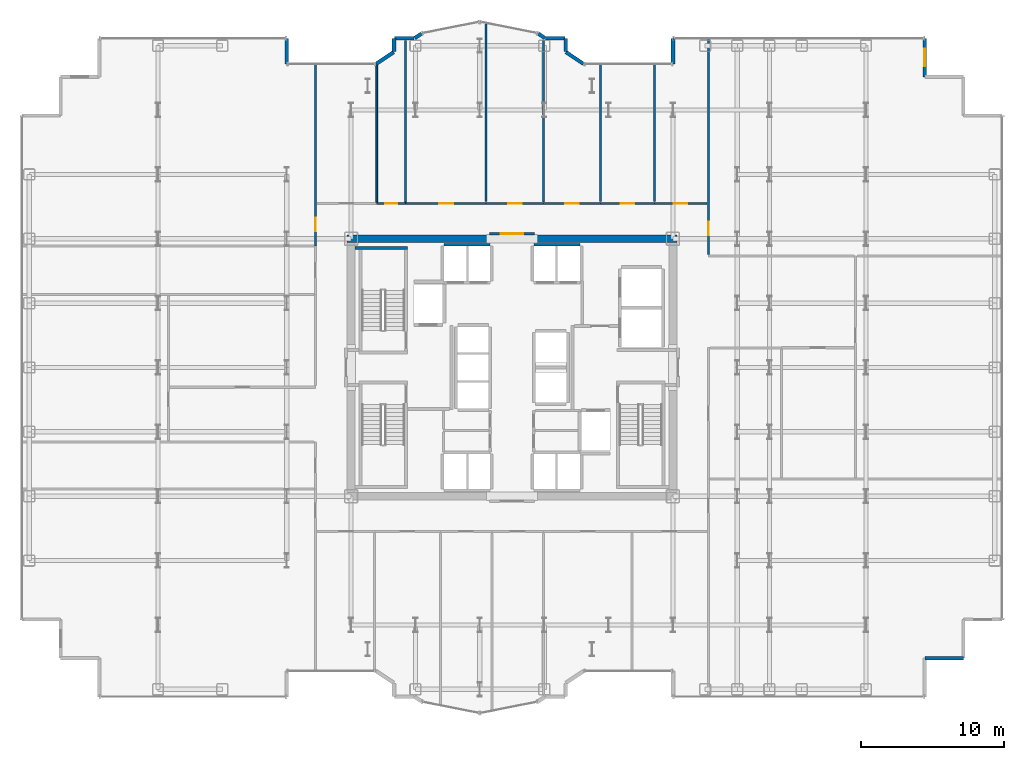
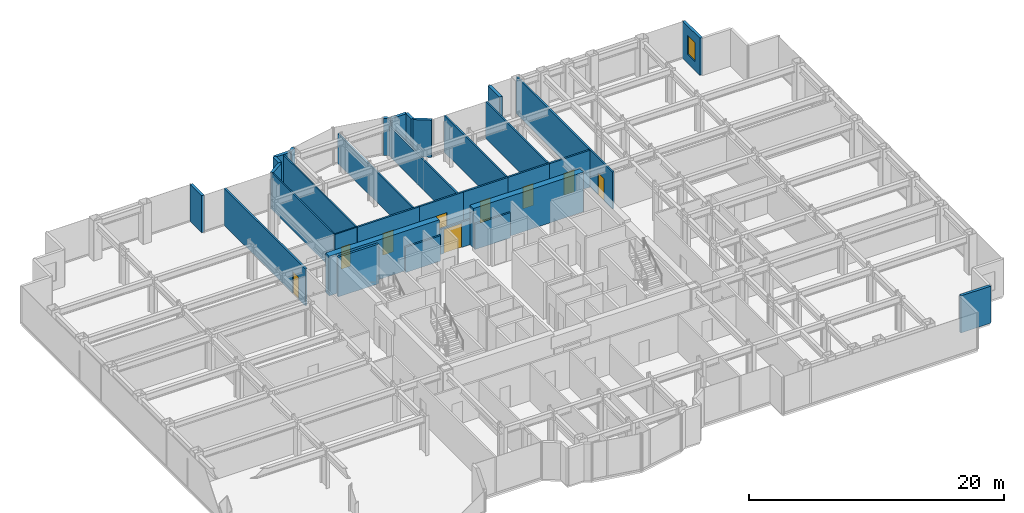
# One storey, part 24 of 26: 32 walls, 9 doors, 1 window, 10 openings.
"""IFC4 building model written with IfcOpenShell, lengths in metres."""

from ifc_helpers import new_model, si_unit, direction, frame, frame_2d, origin, place, context, subcontext, project, spatial, rectangle, extrude, source, transform, mapped, material, layer, layer_set, type_object, element, fill, save


model = new_model("IFC4")

# Units and contexts
model_context = context("Model", 3, precision=1e-05, world=origin(), true_north=direction((0.0, 1.0)))
body_context = subcontext(model_context, "Body", "Model", "MODEL_VIEW")
ifc_project = project(units=[si_unit("LENGTHUNIT", "METRE"), si_unit("AREAUNIT", "SQUARE_METRE"), si_unit("VOLUMEUNIT", "CUBIC_METRE"), si_unit("PLANEANGLEUNIT", "RADIAN"), si_unit("MASSUNIT", "GRAM", prefix="KILO")], contexts=[model_context])

# Site, building, storey
site_placement = place(None, origin())
site = spatial("IfcSite", under=ifc_project, at=site_placement, CompositionType="ELEMENT")
building_placement = place(site_placement, origin())
building = spatial("IfcBuilding", under=site, at=building_placement, Name="Nefas-Gora Pilgrimage Tower", CompositionType="ELEMENT")
storey_placement = place(building_placement, frame((0.0, 0.0, 121.199951171875)))
storey = spatial("IfcBuildingStorey", under=building, at=storey_placement, Name="L29", CompositionType="ELEMENT", Elevation=121.199951171875)

# Walls
ifc_material_1 = material(Name="Concrete C60/75", Category="concrete")
ifc_layer_1 = layer(ifc_material_1, 0.550048828125)
ifc_layer_set_1 = layer_set([ifc_layer_1], Name="Concrete C60/75")
wall_type_1 = type_object("IfcWallType", Name="SW-CORE-550", PredefinedType="SHEAR", material=ifc_layer_set_1)
shared_shape_1 = source(origin(), body_context, "Body", "SweptSolid", [
    extrude(rectangle(XDim=9.974853515625, YDim=0.550048828125, at=frame_2d((4.9873046875, 0.0))), origin(), (0.0, 0.0, 1.0), 3.800048828125),
])
for number, where, z_axis, x_axis, name in (
    (1, (-11.52490234375, 9.0, 0.0), (0.0, 0.0, 1.0), (1.0, 0.0, 0.0), "L29 Core Shear Wall N-West"),
    (2, (1.550048828125, 9.0, 0.0), (0.0, 0.0, 1.0), (1.0, 0.0, 0.0), "L29 Core Shear Wall N-East"),
):
    element("IfcWall", number, at=place(storey_placement, frame(where, z_axis=z_axis, x_axis=x_axis)), inside=storey, type_object=wall_type_1, Name=name, PredefinedType="SHEAR", context=body_context, shape_type="MappedRepresentation", body=[
        mapped(shared_shape_1, transform((0.0, 0.0, 0.0), x_axis=(1.0, 0.0, 0.0), y_axis=(0.0, 1.0, 0.0), z_axis=(0.0, 0.0, 1.0), scale=1.0)),
    ])
ifc_material_2 = material(Name="Precast concrete C40/50", Category="concrete")
ifc_layer_2 = layer(ifc_material_2, 0.260009765625)
ifc_layer_set_2 = layer_set([ifc_layer_2], Name="Precast concrete C40/50")
wall_type_2 = type_object("IfcWallType", Name="EW-PORTAL-260", PredefinedType="SOLIDWALL", material=ifc_layer_set_2)
shared_shape_2 = source(origin(), body_context, "Body", "SweptSolid", [
    extrude(rectangle(XDim=1.800048828125, YDim=0.260009765625, at=frame_2d((0.89990234375, 0.0))), origin(), (0.0, 0.0, 1.0), 3.550048828125),
])
for number, where, z_axis, x_axis, name in (
    (3, (11.25, 23.02001953125, 0.0), (0.0, 0.0, 1.0), (0.0, -1.0, 0.0), "L29 Lobe Shoulder Precast Spandrel Pier 10"),
    (4, (-15.75, 21.219970703125, 0.0), (0.0, 0.0, 1.0), (0.0, 1.0, 0.0), "L29 Lobe Shoulder Precast Spandrel Pier 19"),
):
    element("IfcWall", number, at=place(storey_placement, frame(where, z_axis=z_axis, x_axis=x_axis)), inside=storey, type_object=wall_type_2, Name=name, PredefinedType="SOLIDWALL", context=body_context, shape_type="MappedRepresentation", body=[
        mapped(shared_shape_2, transform((0.0, 0.0, 0.0), x_axis=(1.0, 0.0, 0.0), y_axis=(0.0, 1.0, 0.0), z_axis=(0.0, 0.0, 1.0), scale=1.0)),
    ])
ifc_material_3 = material(Name="Precast concrete C45/55", Category="concrete")
ifc_layer_3 = layer(ifc_material_3, 0.239990234375)
ifc_layer_set_3 = layer_set([ifc_layer_3], Name="Precast concrete C45/55")
wall_type_3 = type_object("IfcWallType", Name="EW-SERR-240", PredefinedType="SHEAR", material=ifc_layer_set_3)
shared_shape_3 = source(origin(), body_context, "Body", "SweptSolid", [
    extrude(rectangle(XDim=2.699951171875, YDim=0.239990234375, at=frame_2d((1.35009765625, 0.0))), origin(), (0.0, 0.0, 1.0), 3.550048828125),
])
wall_1_placement = place(storey_placement, frame((28.8701171875, -20.320068359375, 0.0), z_axis=(0.0, 0.0, 1.0), x_axis=(1.0, 0.0, 0.0)))
element("IfcWall", 5, at=wall_1_placement, inside=storey, type_object=wall_type_3, Name="L29 Serrated Corner Shear Pier Wall 3", PredefinedType="SHEAR", context=body_context, shape_type="MappedRepresentation", body=[
    mapped(shared_shape_3, transform((0.0, 0.0, 0.0), x_axis=(1.0, 0.0, 0.0), y_axis=(0.0, 1.0, 0.0), z_axis=(0.0, 0.0, 1.0), scale=1.0)),
])

# Wall, opening, window
wall_2_placement = place(storey_placement, frame((28.8701171875, 20.320068359375, 0.0), z_axis=(0.0, 0.0, 1.0), x_axis=(0.0, 1.0, 0.0)))
wall_2 = element("IfcWall", 6, at=wall_2_placement, inside=storey, type_object=wall_type_3, Name="L29 Serrated Corner Shear Pier Wall 9", PredefinedType="SHEAR", context=body_context, shape_type="MappedRepresentation", body=[
    mapped(shared_shape_3, transform((0.0, 0.0, 0.0), x_axis=(1.0, 0.0, 0.0), y_axis=(0.0, 1.0, 0.0), z_axis=(0.0, 0.0, 1.0), scale=1.0)),
])
opening_1_placement = place(wall_2_placement, frame((0.75, 0.0, 0.85009765625)))
opening_1 = element("IfcOpeningElement", 7, at=opening_1_placement, cuts=wall_2, Name="Opening W-V1", PredefinedType="OPENING", context=body_context, shape_type="SweptSolid", body=[
    extrude(rectangle(XDim=1.199951171875, YDim=1.800048828125, at=frame_2d((0.60009765625, 0.89990234375))), frame((0.0, 0.1298828125, 0.0), z_axis=(0.0, -1.0, 0.0), x_axis=(1.0, 0.0, 0.0)), (0.0, 0.0, 1.0), 0.260009765625),
])
ifc_material_4 = material(Name="Dark ceramic-fritted operable aluminium-glass window", Category="aluminium")
window_type = type_object("IfcWindowType", Name="WIN-VENT-1200x1800", PartitioningType="SINGLE_PANEL", PredefinedType="WINDOW", material=ifc_material_4)
shared_shape_4 = source(origin(), body_context, "Body", "SweptSolid", [
    extrude(rectangle(XDim=1.199951171875, YDim=1.800048828125, at=frame_2d((0.60009765625, 0.89990234375))), frame((0.0, 0.030029296875, 0.0), z_axis=(0.0, -1.0, 0.0), x_axis=(1.0, 0.0, 0.0)), (0.0, 0.0, 1.0), 0.06005859375),
])
window_placement = place(opening_1_placement, origin())
window = element("IfcWindow", 8, at=window_placement, inside=storey, type_object=window_type, Name="L29 Operable Parallel-Outswing Window 9", OverallHeight=1.800048828125, OverallWidth=1.199951171875, PartitioningType="SINGLE_PANEL", PredefinedType="WINDOW", context=body_context, shape_type="MappedRepresentation", body=[
    mapped(shared_shape_4, transform((0.0, 0.0, 0.0), x_axis=(1.0, 0.0, 0.0), y_axis=(0.0, 1.0, 0.0), z_axis=(0.0, 0.0, 1.0), scale=1.0)),
])
fill(opening_1, window)

# Walls
shared_shape_5 = source(origin(), body_context, "Body", "SweptSolid", [
    extrude(rectangle(XDim=1.468994140625, YDim=0.260009765625, at=frame_2d((0.734375, 0.0))), origin(), (0.0, 0.0, 1.0), 3.550048828125),
])
for number, where, z_axis, x_axis, name in (
    (9, (4.99462890625, 21.235595703125, 0.0), (0.0, 0.0, 1.0), (-0.831461760506, 0.555581983884, 0.0), "L29 Lobe Shoulder Precast Spandrel Pier 11"),
    (10, (-8.273193359375, 22.0517578125, 0.0), (0.0, 0.0, 1.0), (-0.831461760506, -0.555581983884, 0.0), "L29 Lobe Shoulder Precast Spandrel Pier 18"),
):
    element("IfcWall", number, at=place(storey_placement, frame(where, z_axis=z_axis, x_axis=x_axis)), inside=storey, type_object=wall_type_2, Name=name, PredefinedType="SOLIDWALL", context=body_context, shape_type="MappedRepresentation", body=[
        mapped(shared_shape_5, transform((0.0, 0.0, 0.0), x_axis=(1.0, 0.0, 0.0), y_axis=(0.0, 1.0, 0.0), z_axis=(0.0, 0.0, 1.0), scale=1.0)),
    ])
shared_shape_6 = source(origin(), body_context, "Body", "SweptSolid", [
    extrude(rectangle(XDim=0.896728515625, YDim=0.260009765625, at=frame_2d((0.4482421875, 0.0))), origin(), (0.0, 0.0, 1.0), 3.550048828125),
])
for number, where, z_axis, x_axis, name in (
    (11, (3.75, 22.09521484375, 0.0), (0.0, 0.0, 1.0), (0.0, 1.0, 0.0), "L29 Lobe Shoulder Precast Spandrel Pier 12"),
    (12, (-8.25, 22.991943359375, 0.0), (0.0, 0.0, 1.0), (0.0, -1.0, 0.0), "L29 Lobe Shoulder Precast Spandrel Pier 17"),
):
    element("IfcWall", number, at=place(storey_placement, frame(where, z_axis=z_axis, x_axis=x_axis)), inside=storey, type_object=wall_type_2, Name=name, PredefinedType="SOLIDWALL", context=body_context, shape_type="MappedRepresentation", body=[
        mapped(shared_shape_6, transform((0.0, 0.0, 0.0), x_axis=(1.0, 0.0, 0.0), y_axis=(0.0, 1.0, 0.0), z_axis=(0.0, 0.0, 1.0), scale=1.0)),
    ])
shared_shape_7 = source(origin(), body_context, "Body", "SweptSolid", [
    extrude(rectangle(XDim=1.369873046875, YDim=0.260009765625, at=frame_2d((0.68505859375, 0.0))), origin(), (0.0, 0.0, 1.0), 3.550048828125),
])
for number, where, z_axis, x_axis, name in (
    (13, (3.721923828125, 23.02001953125, 0.0), (0.0, 0.0, 1.0), (-1.0, 0.0, 0.0), "L29 Lobe Shoulder Precast Spandrel Pier 13"),
    (14, (-6.85205078125, 23.02001953125, 0.0), (0.0, 0.0, 1.0), (-1.0, 0.0, 0.0), "L29 Lobe Shoulder Precast Spandrel Pier 16"),
):
    element("IfcWall", number, at=place(storey_placement, frame(where, z_axis=z_axis, x_axis=x_axis)), inside=storey, type_object=wall_type_2, Name=name, PredefinedType="SOLIDWALL", context=body_context, shape_type="MappedRepresentation", body=[
        mapped(shared_shape_7, transform((0.0, 0.0, 0.0), x_axis=(1.0, 0.0, 0.0), y_axis=(0.0, 1.0, 0.0), z_axis=(0.0, 0.0, 1.0), scale=1.0)),
    ])
shared_shape_8 = source(origin(), body_context, "Body", "SweptSolid", [
    extrude(rectangle(XDim=0.5654296875, YDim=0.260009765625, at=frame_2d((0.28271484375, 0.0))), origin(), (0.0, 0.0, 1.0), 3.550048828125),
])
for number, where, z_axis, x_axis, name in (
    (15, (2.30078125, 23.03564453125, 0.0), (0.0, 0.0, 1.0), (-0.831651492666, 0.555297933317, 0.0), "L29 Lobe Shoulder Precast Spandrel Pier 14"),
    (16, (-6.33056640625, 23.349609375, 0.0), (0.0, 0.0, 1.0), (-0.831651492666, -0.555297933317, 0.0), "L29 Lobe Shoulder Precast Spandrel Pier 15"),
):
    element("IfcWall", number, at=place(storey_placement, frame(where, z_axis=z_axis, x_axis=x_axis)), inside=storey, type_object=wall_type_2, Name=name, PredefinedType="SOLIDWALL", context=body_context, shape_type="MappedRepresentation", body=[
        mapped(shared_shape_8, transform((0.0, 0.0, 0.0), x_axis=(1.0, 0.0, 0.0), y_axis=(0.0, 1.0, 0.0), z_axis=(0.0, 0.0, 1.0), scale=1.0)),
    ])
ifc_material_5 = material(Name="Concrete C45/55", Category="concrete")
ifc_layer_4 = layer(ifc_material_5, 0.199951171875)
ifc_layer_set_4 = layer_set([ifc_layer_4], Name="Concrete C45/55")
wall_type_4 = type_object("IfcWallType", Name="IW-STAIR-200", PredefinedType="SOLIDWALL", material=ifc_layer_set_4)
shared_shape_9 = source(origin(), body_context, "Body", "SweptSolid", [
    extrude(rectangle(XDim=3.679931640625, YDim=0.199951171875, at=frame_2d((1.83984375, 0.0))), origin(), (0.0, 0.0, 1.0), 3.800048828125),
])
wall_3_placement = place(storey_placement, frame((-7.300048828125, 8.35009765625, 0.0), z_axis=(0.0, 0.0, 1.0), x_axis=(-1.0, 0.0, 0.0)))
element("IfcWall", 17, at=wall_3_placement, inside=storey, type_object=wall_type_4, Name="L29 Stairwell Shear Wall ST-01-far", PredefinedType="SOLIDWALL", context=body_context, shape_type="MappedRepresentation", body=[
    mapped(shared_shape_9, transform((0.0, 0.0, 0.0), x_axis=(1.0, 0.0, 0.0), y_axis=(0.0, 1.0, 0.0), z_axis=(0.0, 0.0, 1.0), scale=1.0)),
])
ifc_material_6 = material(Name="Gypsum acoustic stud partition")
ifc_layer_5 = layer(ifc_material_6, 0.159912109375)
ifc_layer_set_5 = layer_set([ifc_layer_5], Name="Gypsum acoustic stud partition")
wall_type_5 = type_object("IfcWallType", Name="IW-CORR-160", PredefinedType="PARTITIONING", material=ifc_layer_set_5)
shared_shape_10 = source(origin(), body_context, "Body", "SweptSolid", [
    extrude(rectangle(XDim=3.199951171875, YDim=0.159912109375, at=frame_2d((1.60009765625, 0.0))), origin(), (0.0, 0.0, 1.0), 2.425048828125),
])
for number, where, z_axis, x_axis, name in (
    (18, (-1.550048828125, 8.580078125, 0.0), (0.0, 0.0, 1.0), (-1.0, 0.0, 0.0), "L29 Hoistway Wall PL1-W-N"),
    (19, (4.75, 8.580078125, 0.0), (0.0, 0.0, 1.0), (-1.0, 0.0, 0.0), "L29 Hoistway Wall PL1-E-N"),
):
    element("IfcWall", number, at=place(storey_placement, frame(where, z_axis=z_axis, x_axis=x_axis)), inside=storey, type_object=wall_type_5, Name=name, PredefinedType="PARTITIONING", context=body_context, shape_type="MappedRepresentation", body=[
        mapped(shared_shape_10, transform((0.0, 0.0, 0.0), x_axis=(1.0, 0.0, 0.0), y_axis=(0.0, 1.0, 0.0), z_axis=(0.0, 0.0, 1.0), scale=1.0)),
    ])

# Wall, opening, door
ifc_material_7 = material(Name="Moisture-resistant fire-rated gypsum partition")
ifc_layer_6 = layer(ifc_material_7, 0.1201171875)
ifc_layer_set_6 = layer_set([ifc_layer_6], Name="Moisture-resistant fire-rated gypsum partition")
wall_type_6 = type_object("IfcWallType", Name="IW-WET-120", PredefinedType="PLUMBINGWALL", material=ifc_layer_set_6)
shared_shape_11 = source(origin(), body_context, "Body", "SweptSolid", [
    extrude(rectangle(XDim=2.02001953125, YDim=0.1201171875, at=frame_2d((1.010009765625, 0.0))), origin(), (0.0, 0.0, 1.0), 3.53515625),
])
wall_4_placement = place(storey_placement, frame((-9.4599609375, 11.469970703125, 0.0), z_axis=(0.0, 0.0, 1.0), x_axis=(1.0, 0.0, 0.0)))
wall_4 = element("IfcWall", 20, at=wall_4_placement, inside=storey, type_object=wall_type_6, Name="L29 Accessible Unisex WC Partition Wall 25", PredefinedType="PLUMBINGWALL", context=body_context, shape_type="MappedRepresentation", body=[
    mapped(shared_shape_11, transform((0.0, 0.0, 0.0), x_axis=(1.0, 0.0, 0.0), y_axis=(0.0, 1.0, 0.0), z_axis=(0.0, 0.0, 1.0), scale=1.0)),
])
opening_2_placement = place(wall_4_placement, frame((0.5849609375, 0.0, 0.0)))
opening_2 = element("IfcOpeningElement", 21, at=opening_2_placement, cuts=wall_4, Name="Opening ID-BT1", PredefinedType="OPENING", context=body_context, shape_type="SweptSolid", body=[
    extrude(rectangle(XDim=0.85009765625, YDim=2.10009765625, at=frame_2d((0.425048828125, 1.050048828125))), frame((0.0, 0.070068359375, 0.0), z_axis=(0.0, -1.0, 0.0), x_axis=(1.0, 0.0, 0.0)), (0.0, 0.0, 1.0), 0.14013671875),
])
ifc_material_8 = material(Name="Moisture-resistant fire-rated timber door", Category="wood")
door_type_1 = type_object("IfcDoorType", Name="DR-INT-BATH-850", OperationType="NOTDEFINED", PredefinedType="DOOR", material=ifc_material_8)
shared_shape_12 = source(origin(), body_context, "Body", "SweptSolid", [
    extrude(rectangle(XDim=0.85009765625, YDim=2.10009765625, at=frame_2d((0.425048828125, 1.050048828125))), frame((0.0, 0.02490234375, 0.0), z_axis=(0.0, -1.0, 0.0), x_axis=(1.0, 0.0, 0.0)), (0.0, 0.0, 1.0), 0.050048828125),
])
door_1_placement = place(opening_2_placement, origin())
door_1 = element("IfcDoor", 22, at=door_1_placement, inside=storey, type_object=door_type_1, Name="L29 Accessible Unisex WC Door 10", OperationType="SINGLE_SWING_RIGHT", OverallHeight=2.10009765625, OverallWidth=0.85009765625, PredefinedType="DOOR", context=body_context, shape_type="MappedRepresentation", body=[
    mapped(shared_shape_12, transform((0.0, 0.0, 0.0), x_axis=(1.0, 0.0, 0.0), y_axis=(0.0, 1.0, 0.0), z_axis=(0.0, 0.0, 1.0), scale=1.0)),
])
fill(opening_2, door_1)

# Walls
shared_shape_13 = source(origin(), body_context, "Body", "SweptSolid", [
    extrude(rectangle(XDim=11.280029296875, YDim=0.1201171875, at=frame_2d((5.64013671875, 0.0))), origin(), (0.0, 0.0, 1.0), 3.53515625),
])
wall_5_placement = place(storey_placement, frame((-7.449951171875, 11.570068359375, 0.0), z_axis=(0.0, 0.0, 1.0), x_axis=(0.0, 1.0, 0.0)))
element("IfcWall", 23, at=wall_5_placement, inside=storey, type_object=wall_type_6, Name="L29 Accessible Unisex WC Partition Wall 26", PredefinedType="PLUMBINGWALL", context=body_context, shape_type="MappedRepresentation", body=[
    mapped(shared_shape_13, transform((0.0, 0.0, 0.0), x_axis=(1.0, 0.0, 0.0), y_axis=(0.0, 1.0, 0.0), z_axis=(0.0, 0.0, 1.0), scale=1.0)),
])
shared_shape_14 = source(origin(), body_context, "Body", "SweptSolid", [
    extrude(rectangle(XDim=9.586669921875, YDim=0.1201171875, at=frame_2d((4.79345703125, 0.0))), origin(), (0.0, 0.0, 1.0), 3.53515625),
])
wall_6_placement = place(storey_placement, frame((-9.449951171875, 11.570068359375, 0.0), z_axis=(0.0, 0.0, 1.0), x_axis=(0.0, 1.0, 0.0)))
element("IfcWall", 24, at=wall_6_placement, inside=storey, type_object=wall_type_6, Name="L29 Accessible Unisex WC Partition Wall 27", PredefinedType="PLUMBINGWALL", context=body_context, shape_type="MappedRepresentation", body=[
    mapped(shared_shape_14, transform((0.0, 0.0, 0.0), x_axis=(1.0, 0.0, 0.0), y_axis=(0.0, 1.0, 0.0), z_axis=(0.0, 0.0, 1.0), scale=1.0)),
])

# Wall, opening, door
shared_shape_15 = source(origin(), body_context, "Body", "SweptSolid", [
    extrude(rectangle(XDim=12.744873046875, YDim=0.159912109375, at=frame_2d((6.37255859375, 0.0))), origin(), (0.0, 0.0, 1.0), 3.53515625),
])
wall_7_placement = place(storey_placement, frame((-13.739990234375, 8.4951171875, 0.0), z_axis=(0.0, 0.0, 1.0), x_axis=(0.0, 1.0, 0.0)))
wall_7 = element("IfcWall", 25, at=wall_7_placement, inside=storey, type_object=wall_type_5, Name="L29 Pilgrim Fellowship Seminar Room Partition Wall 38", PredefinedType="PARTITIONING", context=body_context, shape_type="MappedRepresentation", body=[
    mapped(shared_shape_15, transform((0.0, 0.0, 0.0), x_axis=(1.0, 0.0, 0.0), y_axis=(0.0, 1.0, 0.0), z_axis=(0.0, 0.0, 1.0), scale=1.0)),
])
opening_3_placement = place(wall_7_placement, frame((1.032470703125, 0.0, 0.0)))
opening_3 = element("IfcOpeningElement", 26, at=opening_3_placement, cuts=wall_7, Name="Opening ID-GR1", PredefinedType="OPENING", context=body_context, shape_type="SweptSolid", body=[
    extrude(rectangle(XDim=0.949951171875, YDim=2.10009765625, at=frame_2d((0.47509765625, 1.050048828125))), frame((0.0, 0.08984375, 0.0), z_axis=(0.0, -1.0, 0.0), x_axis=(1.0, 0.0, 0.0)), (0.0, 0.0, 1.0), 0.179931640625),
])
ifc_material_9 = material(Name="Solid core oak fire-rated guest entrance door")
door_type_2 = type_object("IfcDoorType", Name="DR-INT-GUEST-950", OperationType="NOTDEFINED", PredefinedType="DOOR", material=ifc_material_9)
shared_shape_16 = source(origin(), body_context, "Body", "SweptSolid", [
    extrude(rectangle(XDim=0.949951171875, YDim=2.10009765625, at=frame_2d((0.47509765625, 1.050048828125))), frame((0.0, 0.02490234375, 0.0), z_axis=(0.0, -1.0, 0.0), x_axis=(1.0, 0.0, 0.0)), (0.0, 0.0, 1.0), 0.050048828125),
])
door_2_placement = place(opening_3_placement, origin())
door_2 = element("IfcDoor", 27, at=door_2_placement, inside=storey, type_object=door_type_2, Name="L29 Pilgrim Fellowship Seminar Room Door 16", OperationType="SINGLE_SWING_RIGHT", OverallHeight=2.10009765625, OverallWidth=0.949951171875, PredefinedType="DOOR", context=body_context, shape_type="MappedRepresentation", body=[
    mapped(shared_shape_16, transform((0.0, 0.0, 0.0), x_axis=(1.0, 0.0, 0.0), y_axis=(0.0, 1.0, 0.0), z_axis=(0.0, 0.0, 1.0), scale=1.0)),
])
fill(opening_3, door_2)

# Walls
ifc_material_10 = material(Name="Gypsum twin-stud partition")
ifc_layer_7 = layer(ifc_material_10, 0.139892578125)
ifc_layer_set_7 = layer_set([ifc_layer_7], Name="Gypsum twin-stud partition")
wall_type_7 = type_object("IfcWallType", Name="IW-UNIT-140", PredefinedType="PARTITIONING", material=ifc_layer_set_7)
shared_shape_17 = source(origin(), body_context, "Body", "SweptSolid", [
    extrude(rectangle(XDim=9.64990234375, YDim=0.139892578125, at=frame_2d((4.824951171875, 0.0))), origin(), (0.0, 0.0, 1.0), 3.53515625),
])
for number, where, z_axis, x_axis, name in (
    (28, (6.195068359375, 11.590087890625, 0.0), (0.0, 0.0, 1.0), (0.0, 1.0, 0.0), "L29 Pilgrim Contemplative Lounge Partition Wall 55"),
    (29, (9.949951171875, 11.590087890625, 0.0), (0.0, 0.0, 1.0), (0.0, 1.0, 0.0), "L29 Pilgrim Contemplative Lounge Partition Wall 57"),
):
    element("IfcWall", number, at=place(storey_placement, frame(where, z_axis=z_axis, x_axis=x_axis)), inside=storey, type_object=wall_type_7, Name=name, PredefinedType="PARTITIONING", context=body_context, shape_type="MappedRepresentation", body=[
        mapped(shared_shape_17, transform((0.0, 0.0, 0.0), x_axis=(1.0, 0.0, 0.0), y_axis=(0.0, 1.0, 0.0), z_axis=(0.0, 0.0, 1.0), scale=1.0)),
    ])

# Wall, opening, door
shared_shape_18 = source(origin(), body_context, "Body", "SweptSolid", [
    extrude(rectangle(XDim=3.16015625, YDim=0.159912109375, at=frame_2d((1.580078125, 0.0))), origin(), (0.0, 0.0, 1.0), 2.425048828125),
])
wall_8_placement = place(storey_placement, frame((-1.580078125, 9.35009765625, 0.0), z_axis=(0.0, 0.0, 1.0), x_axis=(1.0, 0.0, 0.0)))
wall_8 = element("IfcWall", 30, at=wall_8_placement, inside=storey, type_object=wall_type_5, Name="L29 Central Lift Lobby North Portal Wall 13", PredefinedType="PARTITIONING", context=body_context, shape_type="MappedRepresentation", body=[
    mapped(shared_shape_18, transform((0.0, 0.0, 0.0), x_axis=(1.0, 0.0, 0.0), y_axis=(0.0, 1.0, 0.0), z_axis=(0.0, 0.0, 1.0), scale=1.0)),
])
opening_4_placement = place(wall_8_placement, frame((0.780029296875, 0.0, 0.0)))
opening_4 = element("IfcOpeningElement", 31, at=opening_4_placement, cuts=wall_8, Name="Opening ID-HL1", PredefinedType="OPENING", context=body_context, shape_type="SweptSolid", body=[
    extrude(rectangle(XDim=1.60009765625, YDim=2.300048828125, at=frame_2d((0.800048828125, 1.14990234375))), frame((0.0, 0.08984375, 0.0), z_axis=(0.0, -1.0, 0.0), x_axis=(1.0, 0.0, 0.0)), (0.0, 0.0, 1.0), 0.179931640625),
])
ifc_material_11 = material(Name="Double acoustic timber assembly hall door", Category="wood")
door_type_3 = type_object("IfcDoorType", Name="DR-INT-HALL-1600", OperationType="DOUBLE_DOOR_SINGLE_SWING", PredefinedType="DOOR", material=ifc_material_11)
shared_shape_19 = source(origin(), body_context, "Body", "SweptSolid", [
    extrude(rectangle(XDim=1.60009765625, YDim=2.300048828125, at=frame_2d((0.800048828125, 1.14990234375))), frame((0.0, 0.02490234375, 0.0), z_axis=(0.0, -1.0, 0.0), x_axis=(1.0, 0.0, 0.0)), (0.0, 0.0, 1.0), 0.050048828125),
])
door_3_placement = place(opening_4_placement, origin())
door_3 = element("IfcDoor", 32, at=door_3_placement, inside=storey, type_object=door_type_3, Name="L29 Central Lift Lobby North Portal Door 4", OperationType="DOUBLE_DOOR_SINGLE_SWING", OverallHeight=2.300048828125, OverallWidth=1.60009765625, PredefinedType="DOOR", context=body_context, shape_type="MappedRepresentation", body=[
    mapped(shared_shape_19, transform((0.0, 0.0, 0.0), x_axis=(1.0, 0.0, 0.0), y_axis=(0.0, 1.0, 0.0), z_axis=(0.0, 0.0, 1.0), scale=1.0)),
])
fill(opening_4, door_3)

shared_shape_20 = source(origin(), body_context, "Body", "SweptSolid", [
    extrude(rectangle(XDim=5.610107421875, YDim=0.159912109375, at=frame_2d((2.80517578125, 0.0))), origin(), (0.0, 0.0, 1.0), 3.53515625),
])
wall_9_placement = place(storey_placement, frame((-7.405029296875, 11.469970703125, 0.0), z_axis=(0.0, 0.0, 1.0), x_axis=(1.0, 0.0, 0.0)))
wall_9 = element("IfcWall", 33, at=wall_9_placement, inside=storey, type_object=wall_type_5, Name="L29 Pilgrim Contemplative Lounge Partition Wall 50", PredefinedType="PARTITIONING", context=body_context, shape_type="MappedRepresentation", body=[
    mapped(shared_shape_20, transform((0.0, 0.0, 0.0), x_axis=(1.0, 0.0, 0.0), y_axis=(0.0, 1.0, 0.0), z_axis=(0.0, 0.0, 1.0), scale=1.0)),
])
opening_5_placement = place(wall_9_placement, frame((2.330078125, 0.0, 0.0)))
opening_5 = element("IfcOpeningElement", 34, at=opening_5_placement, cuts=wall_9, Name="Opening ID-GR1", PredefinedType="OPENING", context=body_context, shape_type="SweptSolid", body=[
    extrude(rectangle(XDim=0.949951171875, YDim=2.10009765625, at=frame_2d((0.47509765625, 1.050048828125))), frame((0.0, 0.08984375, 0.0), z_axis=(0.0, -1.0, 0.0), x_axis=(1.0, 0.0, 0.0)), (0.0, 0.0, 1.0), 0.179931640625),
])
door_4_placement = place(opening_5_placement, origin())
door_4 = element("IfcDoor", 35, at=door_4_placement, inside=storey, type_object=door_type_2, Name="L29 Pilgrim Contemplative Lounge Door 23", OperationType="SINGLE_SWING_LEFT", OverallHeight=2.10009765625, OverallWidth=0.949951171875, PredefinedType="DOOR", context=body_context, shape_type="MappedRepresentation", body=[
    mapped(shared_shape_16, transform((0.0, 0.0, 0.0), x_axis=(1.0, 0.0, 0.0), y_axis=(0.0, 1.0, 0.0), z_axis=(0.0, 0.0, 1.0), scale=1.0)),
])
fill(opening_5, door_4)

# Wall
shared_shape_21 = source(origin(), body_context, "Body", "SweptSolid", [
    extrude(rectangle(XDim=12.51416015625, YDim=0.139892578125, at=frame_2d((6.257080078125, 0.0))), origin(), (0.0, 0.0, 1.0), 2.875),
])
wall_10_placement = place(storey_placement, frame((-1.804931640625, 11.590087890625, 0.0), z_axis=(0.0, 0.0, 1.0), x_axis=(0.0, 1.0, 0.0)))
element("IfcWall", 36, at=wall_10_placement, inside=storey, type_object=wall_type_7, Name="L29 Pilgrim Contemplative Lounge Partition Wall 51", PredefinedType="PARTITIONING", context=body_context, shape_type="MappedRepresentation", body=[
    mapped(shared_shape_21, transform((0.0, 0.0, 0.0), x_axis=(1.0, 0.0, 0.0), y_axis=(0.0, 1.0, 0.0), z_axis=(0.0, 0.0, 1.0), scale=1.0)),
])

# Wall, opening, door
shared_shape_22 = source(origin(), body_context, "Body", "SweptSolid", [
    extrude(rectangle(XDim=15.135009765625, YDim=0.159912109375, at=frame_2d((7.5673828125, 0.0))), origin(), (0.0, 0.0, 1.0), 3.53515625),
])
wall_11_placement = place(storey_placement, frame((13.739990234375, 7.905029296875, 0.0), z_axis=(0.0, 0.0, 1.0), x_axis=(0.0, 1.0, 0.0)))
wall_11 = element("IfcWall", 37, at=wall_11_placement, inside=storey, type_object=wall_type_5, Name="L29 Pilgrim Contemplative Lounge Partition Wall 48", PredefinedType="PARTITIONING", context=body_context, shape_type="MappedRepresentation", body=[
    mapped(shared_shape_22, transform((0.0, 0.0, 0.0), x_axis=(1.0, 0.0, 0.0), y_axis=(0.0, 1.0, 0.0), z_axis=(0.0, 0.0, 1.0), scale=1.0)),
])
opening_6_placement = place(wall_11_placement, frame((1.327392578125, 0.0, 0.0)))
opening_6 = element("IfcOpeningElement", 38, at=opening_6_placement, cuts=wall_11, Name="Opening ID-GR1", PredefinedType="OPENING", context=body_context, shape_type="SweptSolid", body=[
    extrude(rectangle(XDim=0.949951171875, YDim=2.10009765625, at=frame_2d((0.47509765625, 1.050048828125))), frame((0.0, 0.08984375, 0.0), z_axis=(0.0, -1.0, 0.0), x_axis=(1.0, 0.0, 0.0)), (0.0, 0.0, 1.0), 0.179931640625),
])
door_5_placement = place(opening_6_placement, origin())
door_5 = element("IfcDoor", 39, at=door_5_placement, inside=storey, type_object=door_type_2, Name="L29 Pilgrim Contemplative Lounge Door 21", OperationType="SINGLE_SWING_LEFT", OverallHeight=2.10009765625, OverallWidth=0.949951171875, PredefinedType="DOOR", context=body_context, shape_type="MappedRepresentation", body=[
    mapped(shared_shape_16, transform((0.0, 0.0, 0.0), x_axis=(1.0, 0.0, 0.0), y_axis=(0.0, 1.0, 0.0), z_axis=(0.0, 0.0, 1.0), scale=1.0)),
])
fill(opening_6, door_5)

shared_shape_23 = source(origin(), body_context, "Body", "SweptSolid", [
    extrude(rectangle(XDim=4.0048828125, YDim=0.159912109375, at=frame_2d((2.00244140625, 0.0))), origin(), (0.0, 0.0, 1.0), 3.53515625),
])
wall_12_placement = place(storey_placement, frame((-1.804931640625, 11.469970703125, 0.0), z_axis=(0.0, 0.0, 1.0), x_axis=(1.0, 0.0, 0.0)))
wall_12 = element("IfcWall", 40, at=wall_12_placement, inside=storey, type_object=wall_type_5, Name="L29 Pilgrim Contemplative Lounge Partition Wall 52", PredefinedType="PARTITIONING", context=body_context, shape_type="MappedRepresentation", body=[
    mapped(shared_shape_23, transform((0.0, 0.0, 0.0), x_axis=(1.0, 0.0, 0.0), y_axis=(0.0, 1.0, 0.0), z_axis=(0.0, 0.0, 1.0), scale=1.0)),
])
opening_7_placement = place(wall_12_placement, frame((1.527587890625, 0.0, 0.0)))
opening_7 = element("IfcOpeningElement", 41, at=opening_7_placement, cuts=wall_12, Name="Opening ID-GR1", PredefinedType="OPENING", context=body_context, shape_type="SweptSolid", body=[
    extrude(rectangle(XDim=0.949951171875, YDim=2.10009765625, at=frame_2d((0.47509765625, 1.050048828125))), frame((0.0, 0.08984375, 0.0), z_axis=(0.0, -1.0, 0.0), x_axis=(1.0, 0.0, 0.0)), (0.0, 0.0, 1.0), 0.179931640625),
])
door_6_placement = place(opening_7_placement, origin())
door_6 = element("IfcDoor", 42, at=door_6_placement, inside=storey, type_object=door_type_2, Name="L29 Pilgrim Contemplative Lounge Door 24", OperationType="SINGLE_SWING_RIGHT", OverallHeight=2.10009765625, OverallWidth=0.949951171875, PredefinedType="DOOR", context=body_context, shape_type="MappedRepresentation", body=[
    mapped(shared_shape_16, transform((0.0, 0.0, 0.0), x_axis=(1.0, 0.0, 0.0), y_axis=(0.0, 1.0, 0.0), z_axis=(0.0, 0.0, 1.0), scale=1.0)),
])
fill(opening_7, door_6)

# Wall
shared_shape_24 = source(origin(), body_context, "Body", "SweptSolid", [
    extrude(rectangle(XDim=11.317626953125, YDim=0.139892578125, at=frame_2d((5.65869140625, 0.0))), origin(), (0.0, 0.0, 1.0), 2.875),
])
wall_13_placement = place(storey_placement, frame((2.18994140625, 11.590087890625, 0.0), z_axis=(0.0, 0.0, 1.0), x_axis=(0.0, 1.0, 0.0)))
element("IfcWall", 43, at=wall_13_placement, inside=storey, type_object=wall_type_7, Name="L29 Pilgrim Contemplative Lounge Partition Wall 53", PredefinedType="PARTITIONING", context=body_context, shape_type="MappedRepresentation", body=[
    mapped(shared_shape_24, transform((0.0, 0.0, 0.0), x_axis=(1.0, 0.0, 0.0), y_axis=(0.0, 1.0, 0.0), z_axis=(0.0, 0.0, 1.0), scale=1.0)),
])

# Wall, opening, door
shared_shape_25 = source(origin(), body_context, "Body", "SweptSolid", [
    extrude(rectangle(XDim=4.005126953125, YDim=0.159912109375, at=frame_2d((2.00244140625, 0.0))), origin(), (0.0, 0.0, 1.0), 3.53515625),
])
wall_14_placement = place(storey_placement, frame((2.199951171875, 11.469970703125, 0.0), z_axis=(0.0, 0.0, 1.0), x_axis=(1.0, 0.0, 0.0)))
wall_14 = element("IfcWall", 44, at=wall_14_placement, inside=storey, type_object=wall_type_5, Name="L29 Pilgrim Contemplative Lounge Partition Wall 54", PredefinedType="PARTITIONING", context=body_context, shape_type="MappedRepresentation", body=[
    mapped(shared_shape_25, transform((0.0, 0.0, 0.0), x_axis=(1.0, 0.0, 0.0), y_axis=(0.0, 1.0, 0.0), z_axis=(0.0, 0.0, 1.0), scale=1.0)),
])
opening_8_placement = place(wall_14_placement, frame((1.527587890625, 0.0, 0.0)))
opening_8 = element("IfcOpeningElement", 45, at=opening_8_placement, cuts=wall_14, Name="Opening ID-GR1", PredefinedType="OPENING", context=body_context, shape_type="SweptSolid", body=[
    extrude(rectangle(XDim=0.949951171875, YDim=2.10009765625, at=frame_2d((0.47509765625, 1.050048828125))), frame((0.0, 0.08984375, 0.0), z_axis=(0.0, -1.0, 0.0), x_axis=(1.0, 0.0, 0.0)), (0.0, 0.0, 1.0), 0.179931640625),
])
door_7_placement = place(opening_8_placement, origin())
door_7 = element("IfcDoor", 46, at=door_7_placement, inside=storey, type_object=door_type_2, Name="L29 Pilgrim Contemplative Lounge Door 25", OperationType="SINGLE_SWING_LEFT", OverallHeight=2.10009765625, OverallWidth=0.949951171875, PredefinedType="DOOR", context=body_context, shape_type="MappedRepresentation", body=[
    mapped(shared_shape_16, transform((0.0, 0.0, 0.0), x_axis=(1.0, 0.0, 0.0), y_axis=(0.0, 1.0, 0.0), z_axis=(0.0, 0.0, 1.0), scale=1.0)),
])
fill(opening_8, door_7)

shared_shape_26 = source(origin(), body_context, "Body", "SweptSolid", [
    extrude(rectangle(XDim=3.764892578125, YDim=0.159912109375, at=frame_2d((1.88232421875, 0.0))), origin(), (0.0, 0.0, 1.0), 3.53515625),
])
wall_15_placement = place(storey_placement, frame((6.195068359375, 11.469970703125, 0.0), z_axis=(0.0, 0.0, 1.0), x_axis=(1.0, 0.0, 0.0)))
wall_15 = element("IfcWall", 47, at=wall_15_placement, inside=storey, type_object=wall_type_5, Name="L29 Pilgrim Contemplative Lounge Partition Wall 56", PredefinedType="PARTITIONING", context=body_context, shape_type="MappedRepresentation", body=[
    mapped(shared_shape_26, transform((0.0, 0.0, 0.0), x_axis=(1.0, 0.0, 0.0), y_axis=(0.0, 1.0, 0.0), z_axis=(0.0, 0.0, 1.0), scale=1.0)),
])
opening_9_placement = place(wall_15_placement, frame((1.407470703125, 0.0, 0.0)))
opening_9 = element("IfcOpeningElement", 48, at=opening_9_placement, cuts=wall_15, Name="Opening ID-GR1", PredefinedType="OPENING", context=body_context, shape_type="SweptSolid", body=[
    extrude(rectangle(XDim=0.949951171875, YDim=2.10009765625, at=frame_2d((0.47509765625, 1.050048828125))), frame((0.0, 0.08984375, 0.0), z_axis=(0.0, -1.0, 0.0), x_axis=(1.0, 0.0, 0.0)), (0.0, 0.0, 1.0), 0.179931640625),
])
door_8_placement = place(opening_9_placement, origin())
door_8 = element("IfcDoor", 49, at=door_8_placement, inside=storey, type_object=door_type_2, Name="L29 Pilgrim Contemplative Lounge Door 26", OperationType="SINGLE_SWING_RIGHT", OverallHeight=2.10009765625, OverallWidth=0.949951171875, PredefinedType="DOOR", context=body_context, shape_type="MappedRepresentation", body=[
    mapped(shared_shape_16, transform((0.0, 0.0, 0.0), x_axis=(1.0, 0.0, 0.0), y_axis=(0.0, 1.0, 0.0), z_axis=(0.0, 0.0, 1.0), scale=1.0)),
])
fill(opening_9, door_8)

shared_shape_27 = source(origin(), body_context, "Body", "SweptSolid", [
    extrude(rectangle(XDim=3.66015625, YDim=0.159912109375, at=frame_2d((1.830078125, 0.0))), origin(), (0.0, 0.0, 1.0), 3.53515625),
])
wall_16_placement = place(storey_placement, frame((9.9599609375, 11.469970703125, 0.0), z_axis=(0.0, 0.0, 1.0), x_axis=(1.0, 0.0, 0.0)))
wall_16 = element("IfcWall", 50, at=wall_16_placement, inside=storey, type_object=wall_type_5, Name="L29 Pilgrim Contemplative Lounge Partition Wall 58", PredefinedType="PARTITIONING", context=body_context, shape_type="MappedRepresentation", body=[
    mapped(shared_shape_27, transform((0.0, 0.0, 0.0), x_axis=(1.0, 0.0, 0.0), y_axis=(0.0, 1.0, 0.0), z_axis=(0.0, 0.0, 1.0), scale=1.0)),
])
opening_10_placement = place(wall_16_placement, frame((1.35498046875, 0.0, 0.0)))
opening_10 = element("IfcOpeningElement", 51, at=opening_10_placement, cuts=wall_16, Name="Opening ID-GR1", PredefinedType="OPENING", context=body_context, shape_type="SweptSolid", body=[
    extrude(rectangle(XDim=0.949951171875, YDim=2.10009765625, at=frame_2d((0.47509765625, 1.050048828125))), frame((0.0, 0.08984375, 0.0), z_axis=(0.0, -1.0, 0.0), x_axis=(1.0, 0.0, 0.0)), (0.0, 0.0, 1.0), 0.179931640625),
])
door_9_placement = place(opening_10_placement, origin())
door_9 = element("IfcDoor", 52, at=door_9_placement, inside=storey, type_object=door_type_2, Name="L29 Pilgrim Contemplative Lounge Door 27", OperationType="SINGLE_SWING_LEFT", OverallHeight=2.10009765625, OverallWidth=0.949951171875, PredefinedType="DOOR", context=body_context, shape_type="MappedRepresentation", body=[
    mapped(shared_shape_16, transform((0.0, 0.0, 0.0), x_axis=(1.0, 0.0, 0.0), y_axis=(0.0, 1.0, 0.0), z_axis=(0.0, 0.0, 1.0), scale=1.0)),
])
fill(opening_10, door_9)

save(model, "model.ifc")
